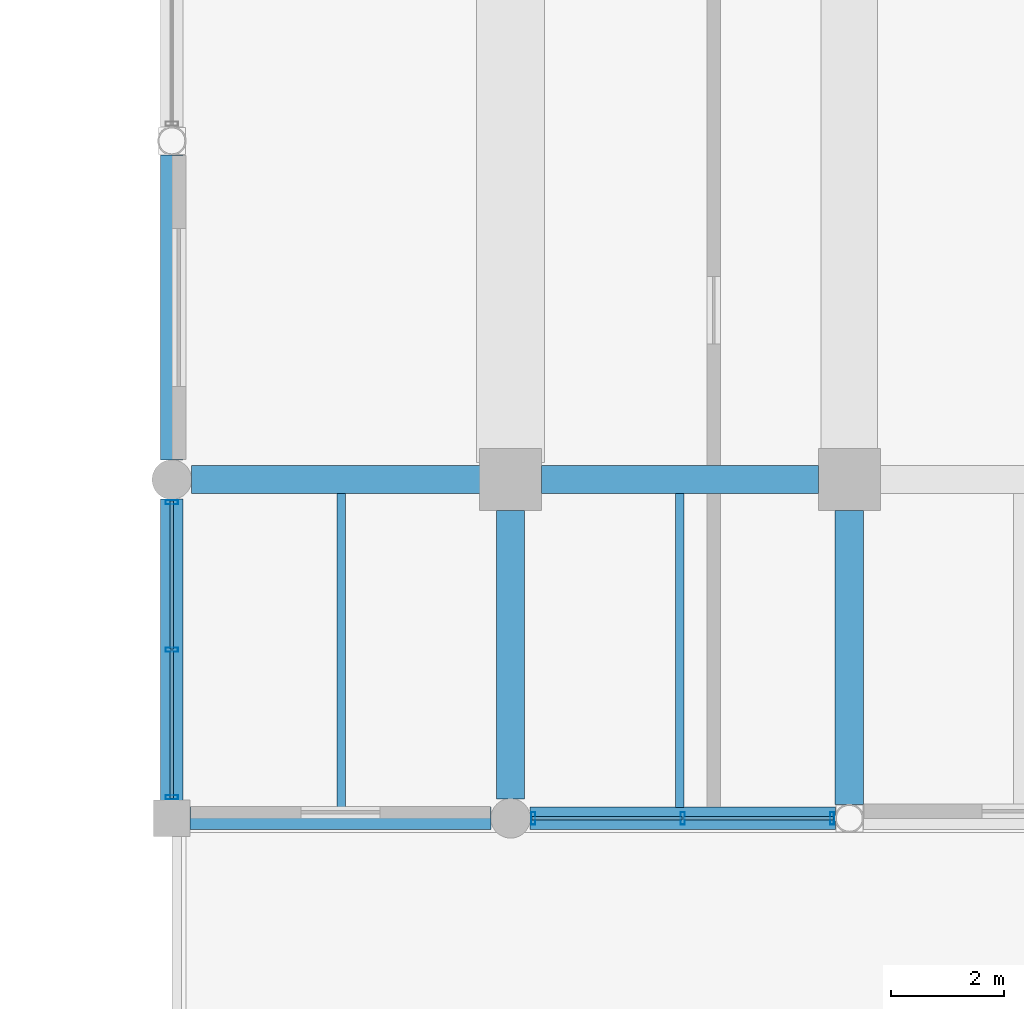
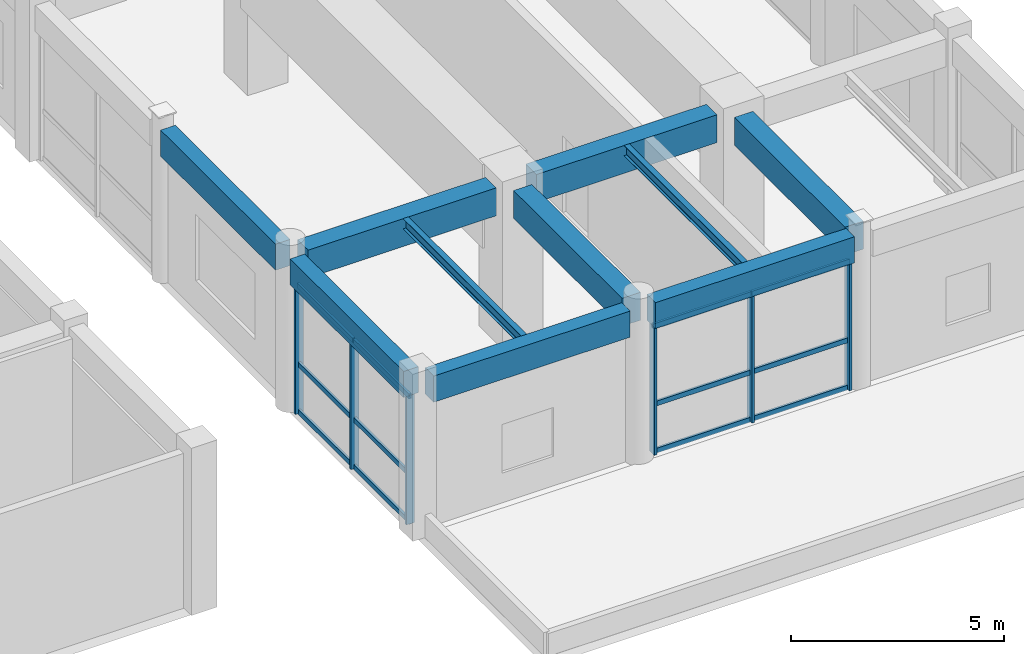
# One storey, part 68 of 123: 18 members, 10 beams, 2 elements without a shape of their own.
"""IFC4 building model written with IfcOpenShell, lengths in metres."""

from ifc_helpers import new_model, si_unit, direction, frame, origin, origin_2d, place, context, subcontext, project, spatial, rectangle, hollow_rectangle, i_section, extrude, material, material_profile, profile_set, type_object, element, aggregate, save


model = new_model("IFC4")

# Units and contexts
model_context = context("Model", 3, precision=1e-05, world=origin(), true_north=direction((0.0, 1.0)))
body_context = subcontext(model_context, "Body", "Model", "MODEL_VIEW")
ifc_project = project(units=[si_unit("LENGTHUNIT", "METRE"), si_unit("AREAUNIT", "SQUARE_METRE"), si_unit("VOLUMEUNIT", "CUBIC_METRE"), si_unit("PLANEANGLEUNIT", "RADIAN"), si_unit("MASSUNIT", "GRAM", prefix="KILO"), si_unit("THERMODYNAMICTEMPERATUREUNIT", "KELVIN"), si_unit("POWERUNIT", "WATT")], contexts=[model_context])

# Site, building, storey
site_placement = place(None, origin())
site = spatial("IfcSite", under=ifc_project, at=site_placement, CompositionType="ELEMENT")
building_placement = place(site_placement, origin())
building = spatial("IfcBuilding", under=site, at=building_placement, Name="Phaisarnlok Congress Hotel", CompositionType="ELEMENT")
storey_placement = place(building_placement, frame((0.0, 0.0, 15.0)))
storey = spatial("IfcBuildingStorey", under=building, at=storey_placement, Name="L03", CompositionType="ELEMENT", Elevation=15.0)

# Beams
ifc_material_1 = material(Name="Concrete C40/50", Category="concrete")
ifc_material_profile_1 = material_profile(ifc_material_1, rectangle(XDim=0.5, YDim=0.800048828125, at=origin_2d()), Name="RC 500x800")
ifc_profile_set_1 = profile_set([ifc_material_profile_1], Name="Concrete C40/50")
beam_type_1 = type_object("IfcBeamType", Name="BM-RC-500x800", PredefinedType="BEAM", material=ifc_profile_set_1)
for number, where, z_axis, x_axis, name in (
    (1, (162.344970703125, 42.0, 4.050048828125), (1.0, 0.0, 0.0), (0.0, 1.0, 0.0), "Beam B-04"),
    (2, (168.0, 36.344970703125, 4.050048828125), (0.0, 1.0, 0.0), (-1.0, 0.0, 0.0), "Beam B-04"),
):
    element("IfcBeam", number, at=place(storey_placement, frame(where, z_axis=z_axis, x_axis=x_axis)), inside=storey, type_object=beam_type_1, Name=name, PredefinedType="BEAM", context=body_context, shape_type="SweptSolid", body=[
        extrude(rectangle(XDim=0.5, YDim=0.800048828125, at=origin_2d()), origin(), (0.0, 0.0, 1.0), 5.110107421875),
    ])
beam_1_placement = place(storey_placement, frame((168.544921875, 42.0, 4.050048828125), z_axis=(1.0, 0.0, 0.0), x_axis=(0.0, 1.0, 0.0)))
element("IfcBeam", 3, at=beam_1_placement, inside=storey, type_object=beam_type_1, Name="Beam B-04", PredefinedType="BEAM", context=body_context, shape_type="SweptSolid", body=[
    extrude(rectangle(XDim=0.5, YDim=0.800048828125, at=origin_2d()), origin(), (0.0, 0.0, 1.0), 4.91015625),
])
beam_2_placement = place(storey_placement, frame((174.0, 36.2490234375, 4.050048828125), z_axis=(0.0, 1.0, 0.0), x_axis=(-1.0, 0.0, 0.0)))
element("IfcBeam", 4, at=beam_2_placement, inside=storey, type_object=beam_type_1, Name="Beam B-04", PredefinedType="BEAM", context=body_context, shape_type="SweptSolid", body=[
    extrude(rectangle(XDim=0.5, YDim=0.800048828125, at=origin_2d()), origin(), (0.0, 0.0, 1.0), 5.2060546875),
])

# Curtain wall, members
ifc_material_2 = material(Name="Thermally Broken Unitised Aluminium & Low-E Glazing", Category="aluminium")
curtain_wall_type_1 = type_object("IfcCurtainWallType", Name="CW-UNIT-30", PredefinedType="NOTDEFINED", material=ifc_material_2)
curtain_wall_1_placement = place(storey_placement, origin())
curtain_wall_1 = element("IfcCurtainWall", 5, at=curtain_wall_1_placement, inside=storey, type_object=curtain_wall_type_1, Name="Unitised curtain wall CW-30 (L03)", PredefinedType="NOTDEFINED")
ifc_material_3 = material(Name="Anodised Aluminium Alloy 6063-T6", Category="aluminium")
ifc_material_profile_2 = material_profile(ifc_material_3, hollow_rectangle(XDim=0.074951171875, YDim=0.219970703125, WallThickness=0.0048828125, at=origin_2d()), Name="ALU-M 75x220x5")
ifc_profile_set_2 = profile_set([ifc_material_profile_2], Name="Anodised Aluminium Alloy 6063-T6")
member_type_1 = type_object("IfcMemberType", Name="CWM-220", PredefinedType="MULLION", material=ifc_profile_set_2)
member_1_placement = place(storey_placement, frame((162.0, 41.60009765625, 0.0), z_axis=(0.0, 0.0, 1.0), x_axis=(0.0, -1.0, 0.0)))
member_1 = element("IfcMember", 6, at=member_1_placement, type_object=member_type_1, Name="Curtain wall mullion CWM-02", PredefinedType="MULLION", context=body_context, shape_type="SweptSolid", body=[
    extrude(hollow_rectangle(XDim=0.074951171875, YDim=0.219970703125, WallThickness=0.0048828125, at=origin_2d()), origin(), (0.0, 0.0, 1.0), 3.699951171875),
])
member_2_placement = place(storey_placement, frame((162.0, 38.987548828125, 0.0), z_axis=(0.0, 0.0, 1.0), x_axis=(0.0, -1.0, 0.0)))
member_2 = element("IfcMember", 7, at=member_2_placement, type_object=member_type_1, Name="Curtain wall mullion CWM-02", PredefinedType="MULLION", context=body_context, shape_type="SweptSolid", body=[
    extrude(hollow_rectangle(XDim=0.074951171875, YDim=0.219970703125, WallThickness=0.0048828125, at=origin_2d()), origin(), (0.0, 0.0, 1.0), 3.699951171875),
])
member_3_placement = place(storey_placement, frame((162.0, 36.375, 0.0), z_axis=(0.0, 0.0, 1.0), x_axis=(0.0, -1.0, 0.0)))
member_3 = element("IfcMember", 8, at=member_3_placement, type_object=member_type_1, Name="Curtain wall mullion CWM-02", PredefinedType="MULLION", context=body_context, shape_type="SweptSolid", body=[
    extrude(hollow_rectangle(XDim=0.074951171875, YDim=0.219970703125, WallThickness=0.0048828125, at=origin_2d()), origin(), (0.0, 0.0, 1.0), 3.699951171875),
])

curtain_wall_type_2 = type_object("IfcCurtainWallType", Name="CW-UNIT-31", PredefinedType="NOTDEFINED", material=ifc_material_2)
curtain_wall_2_placement = place(storey_placement, origin())
curtain_wall_2 = element("IfcCurtainWall", 9, at=curtain_wall_2_placement, inside=storey, type_object=curtain_wall_type_2, Name="Unitised curtain wall CW-31 (L03)", PredefinedType="NOTDEFINED")
member_4_placement = place(storey_placement, frame((168.39990234375, 36.0, 0.0), z_axis=(0.0, 0.0, 1.0), x_axis=(1.0, 0.0, 0.0)))
member_4 = element("IfcMember", 10, at=member_4_placement, type_object=member_type_1, Name="Curtain wall mullion CWM-02", PredefinedType="MULLION", context=body_context, shape_type="SweptSolid", body=[
    extrude(hollow_rectangle(XDim=0.074951171875, YDim=0.219970703125, WallThickness=0.0048828125, at=origin_2d()), origin(), (0.0, 0.0, 1.0), 3.699951171875),
])
member_5_placement = place(storey_placement, frame((171.048095703125, 36.0, 0.0), z_axis=(0.0, 0.0, 1.0), x_axis=(1.0, 0.0, 0.0)))
member_5 = element("IfcMember", 11, at=member_5_placement, type_object=member_type_1, Name="Curtain wall mullion CWM-02", PredefinedType="MULLION", context=body_context, shape_type="SweptSolid", body=[
    extrude(hollow_rectangle(XDim=0.074951171875, YDim=0.219970703125, WallThickness=0.0048828125, at=origin_2d()), origin(), (0.0, 0.0, 1.0), 3.699951171875),
])
member_6_placement = place(storey_placement, frame((173.696044921875, 36.0, 0.0), z_axis=(0.0, 0.0, 1.0), x_axis=(1.0, 0.0, 0.0)))
member_6 = element("IfcMember", 12, at=member_6_placement, type_object=member_type_1, Name="Curtain wall mullion CWM-02", PredefinedType="MULLION", context=body_context, shape_type="SweptSolid", body=[
    extrude(hollow_rectangle(XDim=0.074951171875, YDim=0.219970703125, WallThickness=0.0048828125, at=origin_2d()), origin(), (0.0, 0.0, 1.0), 3.699951171875),
])

# Member
ifc_material_profile_3 = material_profile(ifc_material_3, hollow_rectangle(XDim=0.06494140625, YDim=0.139892578125, WallThickness=0.00390625, at=origin_2d()), Name="ALU-T 65x140x4")
ifc_profile_set_3 = profile_set([ifc_material_profile_3], Name="Anodised Aluminium Alloy 6063-T6")
member_type_2 = type_object("IfcMemberType", Name="CWT-150", PredefinedType="USERDEFINED", material=ifc_profile_set_3)
member_7_placement = place(storey_placement, frame((162.0, 41.625, 0.050048828125), z_axis=(0.0, -1.0, 0.0), x_axis=(1.0, 0.0, 0.0)))
member_7 = element("IfcMember", 13, at=member_7_placement, type_object=member_type_2, Name="Curtain wall transom CWT-01", ObjectType="TRANSOM", PredefinedType="USERDEFINED", context=body_context, shape_type="SweptSolid", body=[
    extrude(hollow_rectangle(XDim=0.06494140625, YDim=0.139892578125, WallThickness=0.00390625, at=origin_2d()), origin(), (0.0, 0.0, 1.0), 2.62255859375),
])

member_8_placement = place(storey_placement, frame((162.0, 41.625, 1.406005859375), z_axis=(0.0, -1.0, 0.0), x_axis=(1.0, 0.0, 0.0)))
member_8 = element("IfcMember", 14, at=member_8_placement, type_object=member_type_2, Name="Curtain wall transom CWT-01", ObjectType="TRANSOM", PredefinedType="USERDEFINED", context=body_context, shape_type="SweptSolid", body=[
    extrude(hollow_rectangle(XDim=0.06494140625, YDim=0.139892578125, WallThickness=0.00390625, at=origin_2d()), origin(), (0.0, 0.0, 1.0), 2.62255859375),
])

member_9_placement = place(storey_placement, frame((162.0, 41.625, 3.64990234375), z_axis=(0.0, -1.0, 0.0), x_axis=(1.0, 0.0, 0.0)))
member_9 = element("IfcMember", 15, at=member_9_placement, type_object=member_type_2, Name="Curtain wall transom CWT-01", ObjectType="TRANSOM", PredefinedType="USERDEFINED", context=body_context, shape_type="SweptSolid", body=[
    extrude(hollow_rectangle(XDim=0.06494140625, YDim=0.139892578125, WallThickness=0.00390625, at=origin_2d()), origin(), (0.0, 0.0, 1.0), 2.62255859375),
])

member_10_placement = place(storey_placement, frame((162.0, 38.972412109375, 0.050048828125), z_axis=(0.0, -1.0, 0.0), x_axis=(1.0, 0.0, 0.0)))
member_10 = element("IfcMember", 16, at=member_10_placement, type_object=member_type_2, Name="Curtain wall transom CWT-01", ObjectType="TRANSOM", PredefinedType="USERDEFINED", context=body_context, shape_type="SweptSolid", body=[
    extrude(hollow_rectangle(XDim=0.06494140625, YDim=0.139892578125, WallThickness=0.00390625, at=origin_2d()), origin(), (0.0, 0.0, 1.0), 2.622314453125),
])

member_11_placement = place(storey_placement, frame((162.0, 38.972412109375, 1.406005859375), z_axis=(0.0, -1.0, 0.0), x_axis=(1.0, 0.0, 0.0)))
member_11 = element("IfcMember", 17, at=member_11_placement, type_object=member_type_2, Name="Curtain wall transom CWT-01", ObjectType="TRANSOM", PredefinedType="USERDEFINED", context=body_context, shape_type="SweptSolid", body=[
    extrude(hollow_rectangle(XDim=0.06494140625, YDim=0.139892578125, WallThickness=0.00390625, at=origin_2d()), origin(), (0.0, 0.0, 1.0), 2.622314453125),
])

member_12_placement = place(storey_placement, frame((162.0, 38.972412109375, 3.64990234375), z_axis=(0.0, -1.0, 0.0), x_axis=(1.0, 0.0, 0.0)))
member_12 = element("IfcMember", 18, at=member_12_placement, type_object=member_type_2, Name="Curtain wall transom CWT-01", ObjectType="TRANSOM", PredefinedType="USERDEFINED", context=body_context, shape_type="SweptSolid", body=[
    extrude(hollow_rectangle(XDim=0.06494140625, YDim=0.139892578125, WallThickness=0.00390625, at=origin_2d()), origin(), (0.0, 0.0, 1.0), 2.622314453125),
])

aggregate(curtain_wall_1, [member_1, member_2, member_3, member_7, member_8, member_9, member_10, member_11, member_12])

member_13_placement = place(storey_placement, frame((168.375, 36.0, 0.050048828125), z_axis=(1.0, 0.0, 0.0), x_axis=(0.0, 1.0, 0.0)))
member_13 = element("IfcMember", 19, at=member_13_placement, type_object=member_type_2, Name="Curtain wall transom CWT-01", ObjectType="TRANSOM", PredefinedType="USERDEFINED", context=body_context, shape_type="SweptSolid", body=[
    extrude(hollow_rectangle(XDim=0.06494140625, YDim=0.139892578125, WallThickness=0.00390625, at=origin_2d()), origin(), (0.0, 0.0, 1.0), 2.657958984375),
])

member_14_placement = place(storey_placement, frame((168.375, 36.0, 1.406005859375), z_axis=(1.0, 0.0, 0.0), x_axis=(0.0, 1.0, 0.0)))
member_14 = element("IfcMember", 20, at=member_14_placement, type_object=member_type_2, Name="Curtain wall transom CWT-01", ObjectType="TRANSOM", PredefinedType="USERDEFINED", context=body_context, shape_type="SweptSolid", body=[
    extrude(hollow_rectangle(XDim=0.06494140625, YDim=0.139892578125, WallThickness=0.00390625, at=origin_2d()), origin(), (0.0, 0.0, 1.0), 2.657958984375),
])

member_15_placement = place(storey_placement, frame((168.375, 36.0, 3.64990234375), z_axis=(1.0, 0.0, 0.0), x_axis=(0.0, 1.0, 0.0)))
member_15 = element("IfcMember", 21, at=member_15_placement, type_object=member_type_2, Name="Curtain wall transom CWT-01", ObjectType="TRANSOM", PredefinedType="USERDEFINED", context=body_context, shape_type="SweptSolid", body=[
    extrude(hollow_rectangle(XDim=0.06494140625, YDim=0.139892578125, WallThickness=0.00390625, at=origin_2d()), origin(), (0.0, 0.0, 1.0), 2.657958984375),
])

member_16_placement = place(storey_placement, frame((171.06298828125, 36.0, 0.050048828125), z_axis=(1.0, 0.0, 0.0), x_axis=(0.0, 1.0, 0.0)))
member_16 = element("IfcMember", 22, at=member_16_placement, type_object=member_type_2, Name="Curtain wall transom CWT-01", ObjectType="TRANSOM", PredefinedType="USERDEFINED", context=body_context, shape_type="SweptSolid", body=[
    extrude(hollow_rectangle(XDim=0.06494140625, YDim=0.139892578125, WallThickness=0.00390625, at=origin_2d()), origin(), (0.0, 0.0, 1.0), 2.657958984375),
])

member_17_placement = place(storey_placement, frame((171.06298828125, 36.0, 1.406005859375), z_axis=(1.0, 0.0, 0.0), x_axis=(0.0, 1.0, 0.0)))
member_17 = element("IfcMember", 23, at=member_17_placement, type_object=member_type_2, Name="Curtain wall transom CWT-01", ObjectType="TRANSOM", PredefinedType="USERDEFINED", context=body_context, shape_type="SweptSolid", body=[
    extrude(hollow_rectangle(XDim=0.06494140625, YDim=0.139892578125, WallThickness=0.00390625, at=origin_2d()), origin(), (0.0, 0.0, 1.0), 2.657958984375),
])

member_18_placement = place(storey_placement, frame((171.06298828125, 36.0, 3.64990234375), z_axis=(1.0, 0.0, 0.0), x_axis=(0.0, 1.0, 0.0)))
member_18 = element("IfcMember", 24, at=member_18_placement, type_object=member_type_2, Name="Curtain wall transom CWT-01", ObjectType="TRANSOM", PredefinedType="USERDEFINED", context=body_context, shape_type="SweptSolid", body=[
    extrude(hollow_rectangle(XDim=0.06494140625, YDim=0.139892578125, WallThickness=0.00390625, at=origin_2d()), origin(), (0.0, 0.0, 1.0), 2.657958984375),
])

aggregate(curtain_wall_2, [member_4, member_5, member_6, member_13, member_14, member_15, member_16, member_17, member_18])

# Beams
ifc_material_4 = material(Name="Steel S355", Category="steel")
ifc_material_profile_4 = material_profile(ifc_material_4, i_section(OverallWidth=0.14990234375, OverallDepth=0.300048828125, WebThickness=0.007080078125, FlangeThickness=0.0107421875, FilletRadius=0.014892578125, at=origin_2d()), Name="IPE 300")
ifc_profile_set_4 = profile_set([ifc_material_profile_4], Name="Steel S355")
beam_type_2 = type_object("IfcBeamType", Name="JS-STL-IPE300", PredefinedType="JOIST", material=ifc_profile_set_4)
for number, where, z_axis, x_axis, name in (
    (25, (165.0, 36.195068359375, 4.300048828125), (0.0, 1.0, 0.0), (-1.0, 0.0, 0.0), "Secondary floor joist J-03"),
    (26, (171.0, 36.195068359375, 4.300048828125), (0.0, 1.0, 0.0), (-1.0, 0.0, 0.0), "Secondary floor joist J-03"),
):
    element("IfcBeam", number, at=place(storey_placement, frame(where, z_axis=z_axis, x_axis=x_axis)), inside=storey, type_object=beam_type_2, Name=name, PredefinedType="JOIST", context=body_context, shape_type="SweptSolid", body=[
        extrude(i_section(OverallWidth=0.14990234375, OverallDepth=0.300048828125, WebThickness=0.007080078125, FlangeThickness=0.0107421875, FilletRadius=0.014892578125, at=origin_2d()), origin(), (0.0, 0.0, 1.0), 5.559814453125),
    ])
ifc_material_profile_5 = material_profile(ifc_material_1, rectangle(XDim=0.39990234375, YDim=0.75, at=origin_2d()), Name="RC 400x750")
ifc_profile_set_5 = profile_set([ifc_material_profile_5], Name="Concrete C40/50")
beam_type_3 = type_object("IfcBeamType", Name="SP-RC-400x750", PredefinedType="SPANDREL", material=ifc_profile_set_5)
for number, where, z_axis, x_axis, name in (
    (27, (162.320068359375, 36.0, 4.074951171875), (1.0, 0.0, 0.0), (0.0, 1.0, 0.0), "Beam SP-02"),
    (28, (162.0, 36.320068359375, 4.074951171875), (0.0, 1.0, 0.0), (-1.0, 0.0, 0.0), "Beam SP-02"),
):
    element("IfcBeam", number, at=place(storey_placement, frame(where, z_axis=z_axis, x_axis=x_axis)), inside=storey, type_object=beam_type_3, Name=name, PredefinedType="SPANDREL", context=body_context, shape_type="SweptSolid", body=[
        extrude(rectangle(XDim=0.39990234375, YDim=0.75, at=origin_2d()), origin(), (0.0, 0.0, 1.0), 5.3349609375),
    ])
for number, where, z_axis, x_axis, name in (
    (29, (162.0, 42.344970703125, 4.074951171875), (0.0, 1.0, 0.0), (-1.0, 0.0, 0.0), "Beam SP-02"),
    (30, (168.344970703125, 36.0, 4.074951171875), (1.0, 0.0, 0.0), (0.0, 1.0, 0.0), "Beam SP-02"),
):
    element("IfcBeam", number, at=place(storey_placement, frame(where, z_axis=z_axis, x_axis=x_axis)), inside=storey, type_object=beam_type_3, Name=name, PredefinedType="SPANDREL", context=body_context, shape_type="SweptSolid", body=[
        extrude(rectangle(XDim=0.39990234375, YDim=0.75, at=origin_2d()), origin(), (0.0, 0.0, 1.0), 5.406005859375),
    ])

save(model, "model.ifc")
